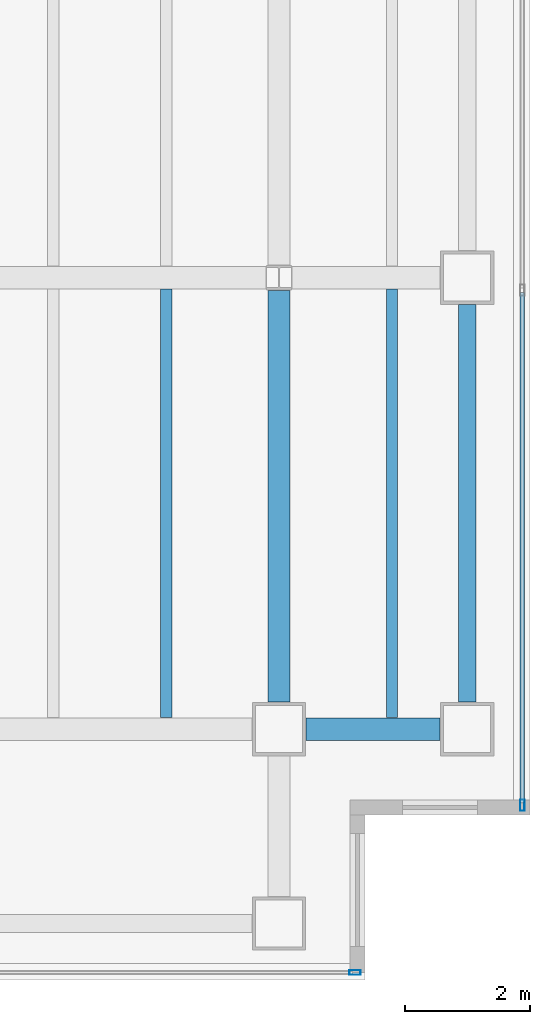
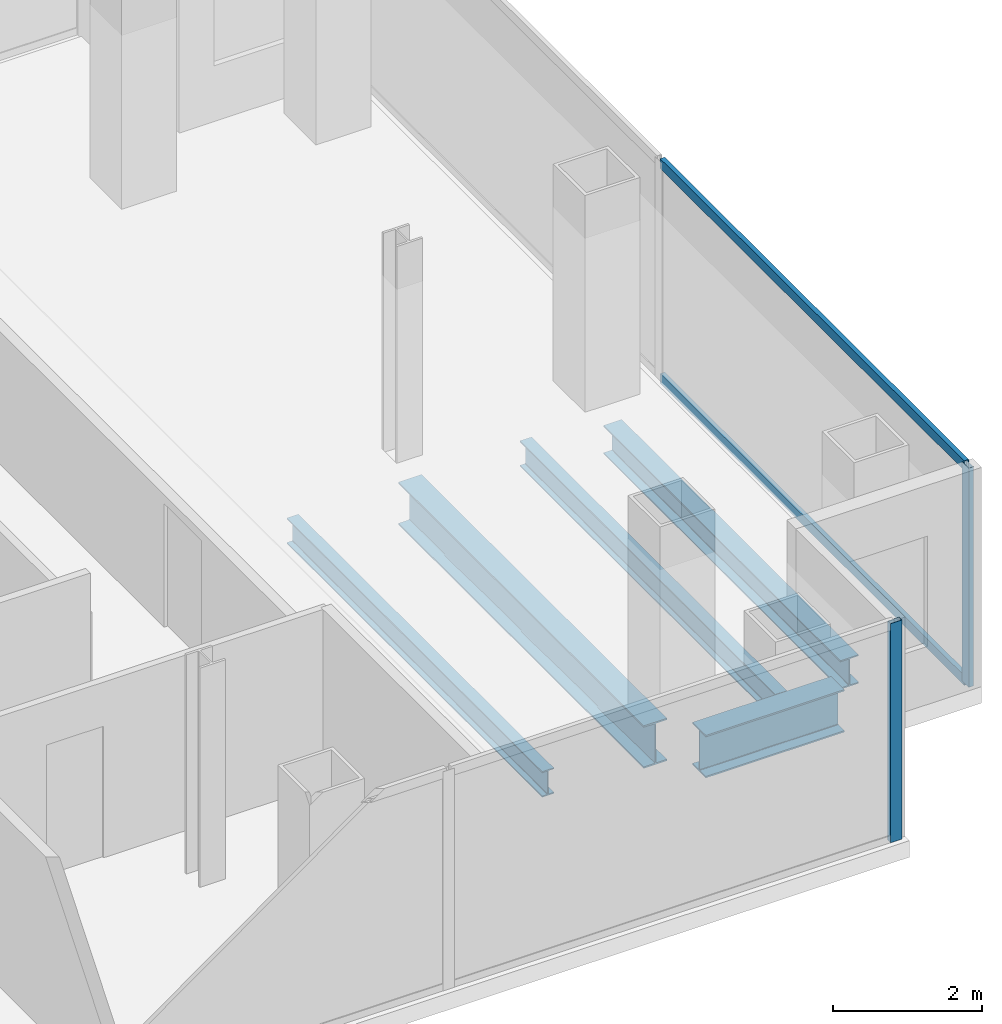
# One storey, part 11 of 24: 5 beams, 4 members, 2 elements without a shape of their own.
"""IFC4 building model written with IfcOpenShell, lengths in metres."""

from ifc_helpers import new_model, si_unit, direction, frame, origin, origin_2d, place, context, subcontext, project, spatial, hollow_rectangle, i_section, extrude, material, material_profile, profile_set, type_object, element, aggregate, save


model = new_model("IFC4")

# Units and contexts
model_context = context("Model", 3, precision=1e-05, world=origin(), true_north=direction((0.0, 1.0)))
body_context = subcontext(model_context, "Body", "Model", "MODEL_VIEW")
ifc_project = project(units=[si_unit("LENGTHUNIT", "METRE"), si_unit("AREAUNIT", "SQUARE_METRE"), si_unit("VOLUMEUNIT", "CUBIC_METRE"), si_unit("PLANEANGLEUNIT", "RADIAN"), si_unit("MASSUNIT", "GRAM", prefix="KILO")], contexts=[model_context])

# Site, building, storey
site_placement = place(None, origin())
site = spatial("IfcSite", under=ifc_project, at=site_placement, CompositionType="ELEMENT")
building_placement = place(site_placement, origin())
building = spatial("IfcBuilding", under=site, at=building_placement, Name="Cobrela Telecom Tower", CompositionType="ELEMENT")
storey_placement = place(building_placement, frame((0.0, 0.0, 152.25)))
storey = spatial("IfcBuildingStorey", under=building, at=storey_placement, Name="L38", CompositionType="ELEMENT", Elevation=152.25)

# Beams
ifc_material_1 = material(Name="Steel ASTM A992 Grade 50", Category="steel")
ifc_material_profile_1 = material_profile(ifc_material_1, i_section(OverallWidth=0.35595703125, OverallDepth=0.696044921875, WebThickness=0.015380859375, FlangeThickness=0.024658203125, FilletRadius=0.01806640625, at=origin_2d()), Name="W27X146")
ifc_profile_set_1 = profile_set([ifc_material_profile_1], Name="Steel ASTM A992 Grade 50")
beam_type_1 = type_object("IfcBeamType", Name="BM-GIRD-05", PredefinedType="USERDEFINED", material=ifc_profile_set_1)
beam_1_placement = place(storey_placement, frame((43.6298828125, 7.199951171875, -0.617919921875), z_axis=(1.0, 0.0, 0.0), x_axis=(0.0, 1.0, 0.0)))
element("IfcBeam", 1, at=beam_1_placement, inside=storey, type_object=beam_type_1, Name="L38 Primary Girder X12", ObjectType="GIRDER", PredefinedType="USERDEFINED", context=body_context, shape_type="SweptSolid", body=[
    extrude(i_section(OverallWidth=0.35595703125, OverallDepth=0.696044921875, WebThickness=0.015380859375, FlangeThickness=0.024658203125, FilletRadius=0.01806640625, at=origin_2d()), origin(), (0.0, 0.0, 1.0), 2.14013671875),
])
beam_2_placement = place(storey_placement, frame((43.199951171875, 7.6298828125, -0.617919921875), z_axis=(0.0, 1.0, 0.0), x_axis=(-1.0, 0.0, 0.0)))
element("IfcBeam", 2, at=beam_2_placement, inside=storey, type_object=beam_type_1, Name="L38 Primary Girder Y53", ObjectType="GIRDER", PredefinedType="USERDEFINED", context=body_context, shape_type="SweptSolid", body=[
    extrude(i_section(OverallWidth=0.35595703125, OverallDepth=0.696044921875, WebThickness=0.015380859375, FlangeThickness=0.024658203125, FilletRadius=0.01806640625, at=origin_2d()), origin(), (0.0, 0.0, 1.0), 6.565673828125),
])
ifc_material_profile_2 = material_profile(ifc_material_1, i_section(OverallWidth=0.179931640625, OverallDepth=0.4169921875, WebThickness=0.010986328125, FlangeThickness=0.01806640625, FilletRadius=0.011962890625, at=origin_2d()), Name="W16X57")
ifc_profile_set_2 = profile_set([ifc_material_profile_2], Name="Steel ASTM A992 Grade 50")
beam_type_2 = type_object("IfcBeamType", Name="BM-JOIST-04", PredefinedType="JOIST", material=ifc_profile_set_2)
for number, where, z_axis, x_axis, name in (
    (3, (41.39990234375, 7.383056640625, -0.478515625), (0.0, 1.0, 0.0), (-1.0, 0.0, 0.0), "L38 Secondary Composite Floor Beam J37"),
    (4, (45.0, 7.383056640625, -0.478515625), (0.0, 1.0, 0.0), (-1.0, 0.0, 0.0), "L38 Secondary Composite Floor Beam J39"),
):
    element("IfcBeam", number, at=place(storey_placement, frame(where, z_axis=z_axis, x_axis=x_axis)), inside=storey, type_object=beam_type_2, Name=name, PredefinedType="JOIST", context=body_context, shape_type="SweptSolid", body=[
        extrude(i_section(OverallWidth=0.179931640625, OverallDepth=0.4169921875, WebThickness=0.010986328125, FlangeThickness=0.01806640625, FilletRadius=0.011962890625, at=origin_2d()), origin(), (0.0, 0.0, 1.0), 6.833984375),
    ])
ifc_material_profile_3 = material_profile(ifc_material_1, i_section(OverallWidth=0.281982421875, OverallDepth=0.467041015625, WebThickness=0.01220703125, FlangeThickness=0.01953125, FilletRadius=0.012939453125, at=origin_2d()), Name="W18X86")
ifc_profile_set_3 = profile_set([ifc_material_profile_3], Name="Steel ASTM A992 Grade 50")
beam_type_3 = type_object("IfcBeamType", Name="BM-SPAND-04", PredefinedType="SPANDREL", material=ifc_profile_set_3)
beam_3_placement = place(storey_placement, frame((46.199951171875, 7.6298828125, -0.50341796875), z_axis=(0.0, 1.0, 0.0), x_axis=(-1.0, 0.0, 0.0)))
element("IfcBeam", 5, at=beam_3_placement, inside=storey, type_object=beam_type_3, Name="L38 Perimeter Spandrel Y55", PredefinedType="SPANDREL", context=body_context, shape_type="SweptSolid", body=[
    extrude(i_section(OverallWidth=0.281982421875, OverallDepth=0.467041015625, WebThickness=0.01220703125, FlangeThickness=0.01953125, FilletRadius=0.012939453125, at=origin_2d()), origin(), (0.0, 0.0, 1.0), 6.340087890625),
])

# Curtain wall, member
ifc_material_2 = material(Name="Anodized Bronze Aluminium 6063-T6", Category="aluminium")
curtain_wall_type = type_object("IfcCurtainWallType", Name="CW-SYS-TEL", PredefinedType="USERDEFINED", material=ifc_material_2)
curtain_wall_1_placement = place(storey_placement, origin())
curtain_wall_1 = element("IfcCurtainWall", 6, at=curtain_wall_1_placement, inside=storey, type_object=curtain_wall_type, Name="L38 Unitised Bronze Curtain Wall 14", ObjectType="UNITISED CURTAIN WALL", PredefinedType="USERDEFINED")
ifc_material_profile_4 = material_profile(ifc_material_2, hollow_rectangle(XDim=0.074951171875, YDim=0.179931640625, WallThickness=0.00390625, at=origin_2d()), Name="ALU 75x180x4")
ifc_profile_set_4 = profile_set([ifc_material_profile_4], Name="Anodized Bronze Aluminium 6063-T6")
member_type_1 = type_object("IfcMemberType", Name="CW-SYS-TEL-MUL", PredefinedType="MULLION", material=ifc_profile_set_4)
member_1_placement = place(storey_placement, frame((47.080078125, 5.987548828125, 0.0), z_axis=(0.0, 0.0, 1.0), x_axis=(1.0, 0.0, 0.0)))
member_1 = element("IfcMember", 7, at=member_1_placement, type_object=member_type_1, Name="CW-TEL mullion 3", PredefinedType="MULLION", context=body_context, shape_type="SweptSolid", body=[
    extrude(hollow_rectangle(XDim=0.074951171875, YDim=0.179931640625, WallThickness=0.00390625, at=origin_2d()), origin(), (0.0, 0.0, 1.0), 3.580078125),
])

curtain_wall_2_placement = place(storey_placement, origin())
curtain_wall_2 = element("IfcCurtainWall", 8, at=curtain_wall_2_placement, inside=storey, type_object=curtain_wall_type, Name="L38 Unitised Bronze Curtain Wall 17", ObjectType="UNITISED CURTAIN WALL", PredefinedType="USERDEFINED")
member_2_placement = place(storey_placement, frame((44.41259765625, 3.320068359375, 0.0), z_axis=(0.0, 0.0, 1.0), x_axis=(0.0, -1.0, 0.0)))
member_2 = element("IfcMember", 9, at=member_2_placement, type_object=member_type_1, Name="CW-TEL mullion 1", PredefinedType="MULLION", context=body_context, shape_type="SweptSolid", body=[
    extrude(hollow_rectangle(XDim=0.074951171875, YDim=0.179931640625, WallThickness=0.00390625, at=origin_2d()), origin(), (0.0, 0.0, 1.0), 3.580078125),
])
aggregate(curtain_wall_2, [member_2])

# Member
ifc_material_profile_5 = material_profile(ifc_material_2, hollow_rectangle(XDim=0.070068359375, YDim=0.159912109375, WallThickness=0.00390625, at=origin_2d()), Name="ALU 70x160x4")
ifc_profile_set_5 = profile_set([ifc_material_profile_5], Name="Anodized Bronze Aluminium 6063-T6")
member_type_2 = type_object("IfcMemberType", Name="CW-SYS-TEL-TRN", PredefinedType="USERDEFINED", material=ifc_profile_set_5)
member_3_placement = place(storey_placement, frame((47.080078125, 14.16259765625, 0.034912109375), z_axis=(0.0, -1.0, 0.0), x_axis=(1.0, 0.0, 0.0)))
member_3 = element("IfcMember", 10, at=member_3_placement, type_object=member_type_2, Name="CW-TEL transom 2.1", ObjectType="TRANSOM", PredefinedType="USERDEFINED", context=body_context, shape_type="SweptSolid", body=[
    extrude(hollow_rectangle(XDim=0.070068359375, YDim=0.159912109375, WallThickness=0.00390625, at=origin_2d()), origin(), (0.0, 0.0, 1.0), 8.1376953125),
])

member_4_placement = place(storey_placement, frame((47.080078125, 14.16259765625, 3.544921875), z_axis=(0.0, -1.0, 0.0), x_axis=(1.0, 0.0, 0.0)))
member_4 = element("IfcMember", 11, at=member_4_placement, type_object=member_type_2, Name="CW-TEL transom 2.2", ObjectType="TRANSOM", PredefinedType="USERDEFINED", context=body_context, shape_type="SweptSolid", body=[
    extrude(hollow_rectangle(XDim=0.070068359375, YDim=0.159912109375, WallThickness=0.00390625, at=origin_2d()), origin(), (0.0, 0.0, 1.0), 8.1376953125),
])

aggregate(curtain_wall_1, [member_1, member_3, member_4])

save(model, "model.ifc")
